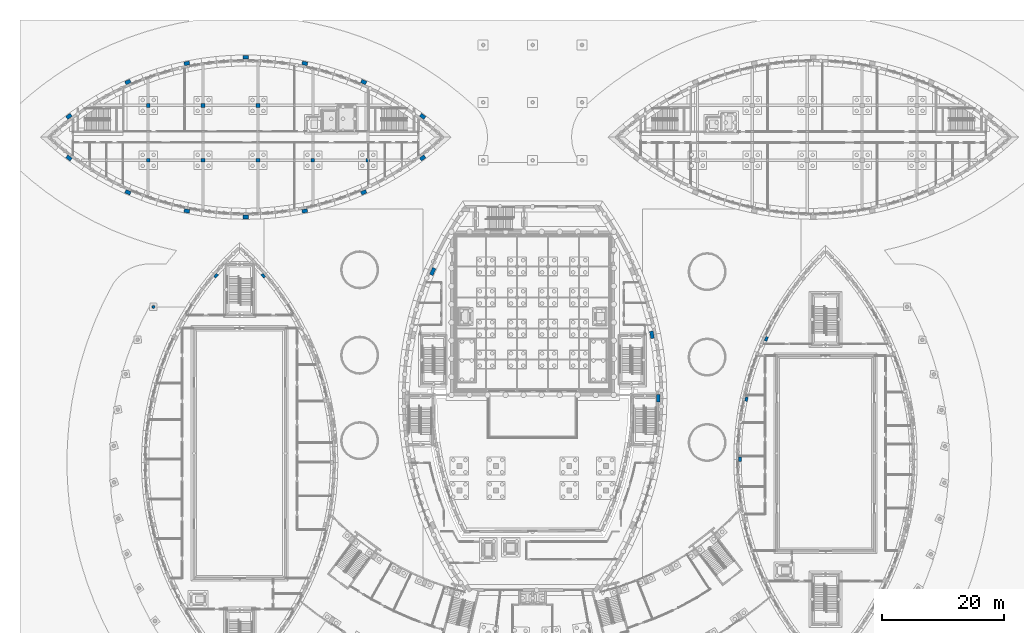
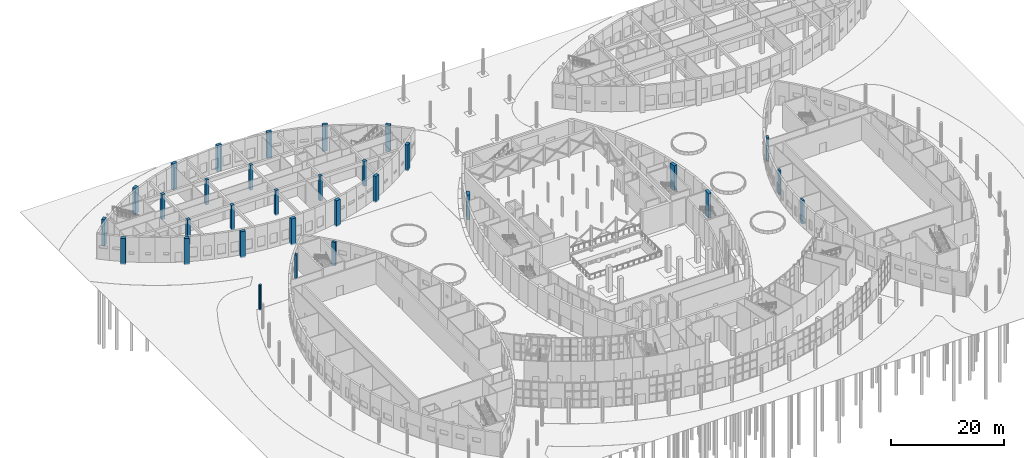
# One storey, part 13 of 82: 31 columns.
"""IFC4 building model written with IfcOpenShell, lengths in metres."""

from ifc_helpers import new_model, si_unit, direction, frame, origin, origin_2d, place, context, subcontext, project, spatial, rectangle, circle, extrude, material, material_profile, profile_set, type_object, element, save


model = new_model("IFC4")

# Units and contexts
model_context = context("Model", 3, precision=1e-05, world=origin(), true_north=direction((0.0, 1.0)))
body_context = subcontext(model_context, "Body", "Model", "MODEL_VIEW")
ifc_project = project(units=[si_unit("LENGTHUNIT", "METRE"), si_unit("AREAUNIT", "SQUARE_METRE"), si_unit("VOLUMEUNIT", "CUBIC_METRE"), si_unit("PLANEANGLEUNIT", "RADIAN"), si_unit("MASSUNIT", "GRAM", prefix="KILO")], contexts=[model_context])

# Site, building, storey
site_placement = place(None, origin())
site = spatial("IfcSite", under=ifc_project, at=site_placement, CompositionType="ELEMENT")
building_placement = place(site_placement, origin())
building = spatial("IfcBuilding", under=site, at=building_placement, Name="Tide Square Theatres", CompositionType="ELEMENT")
storey_placement = place(building_placement, origin())
storey = spatial("IfcBuildingStorey", under=building, at=storey_placement, Name="L00", CompositionType="ELEMENT", Elevation=0.0)

# Columns
ifc_material_1 = material(Name="Concrete C40", Category="concrete")
ifc_material_profile_1 = material_profile(ifc_material_1, rectangle(XDim=0.60009765625, YDim=0.60009765625, at=origin_2d()))
ifc_profile_set_1 = profile_set([ifc_material_profile_1], Name="Concrete C40")
column_type_1 = type_object("IfcColumnType", Name="RC column 600 x 600", PredefinedType="COLUMN", material=ifc_profile_set_1)
for number, where, z_axis, x_axis, name in (
    (1, (21.0, 94.0, -0.25), (0.0, 0.0, 1.0), (1.0, 0.0, 0.0), "Scenery Workshops frame column 1"),
    (2, (21.0, 103.0, -0.25), (0.0, 0.0, 1.0), (1.0, 0.0, 0.0), "Scenery Workshops frame column 2"),
    (3, (30.0, 94.0, -0.25), (0.0, 0.0, 1.0), (1.0, 0.0, 0.0), "Scenery Workshops frame column 3"),
    (4, (30.0, 103.0, -0.25), (0.0, 0.0, 1.0), (1.0, 0.0, 0.0), "Scenery Workshops frame column 4"),
    (5, (39.0, 94.0, -0.25), (0.0, 0.0, 1.0), (1.0, 0.0, 0.0), "Scenery Workshops frame column 5"),
    (6, (39.0, 103.0, -0.25), (0.0, 0.0, 1.0), (1.0, 0.0, 0.0), "Scenery Workshops frame column 6"),
    (7, (48.0, 94.0, -0.25), (0.0, 0.0, 1.0), (1.0, 0.0, 0.0), "Scenery Workshops frame column 7"),
    (8, (57.0, 94.0, -0.25), (0.0, 0.0, 1.0), (1.0, 0.0, 0.0), "Scenery Workshops frame column 8"),
):
    element("IfcColumn", number, at=place(storey_placement, frame(where, z_axis=z_axis, x_axis=x_axis)), inside=storey, type_object=column_type_1, Name=name, PredefinedType="COLUMN", context=body_context, shape_type="SweptSolid", body=[
        extrude(rectangle(XDim=0.60009765625, YDim=0.60009765625, at=origin_2d()), origin(), (0.0, 0.0, 1.0), 5.3701171875),
    ])
ifc_material_2 = material(Name="Concrete C40", Category="concrete")
ifc_material_profile_2 = material_profile(ifc_material_2, rectangle(XDim=1.199951171875, YDim=0.60009765625, at=origin_2d()))
ifc_profile_set_2 = profile_set([ifc_material_profile_2], Name="Concrete C40")
column_type_2 = type_object("IfcColumnType", Name="RC pier 1200 x 600", PredefinedType="PILASTER", material=ifc_profile_set_2)
for number, where, z_axis, x_axis, name in (
    (9, (104.585205078125, 55.012939453125, 0.0), (0.0, 0.0, 1.0), (0.024571762574, 0.999698068661, 0.0), "Rib foot pier"),
    (10, (103.556884765625, 65.41357421875, 0.0), (0.0, 0.0, 1.0), (-0.171172540003, 0.985241067734, 0.0), "Rib foot pier"),
    (11, (67.64013671875, 75.7880859375, 0.0), (0.0, 0.0, 1.0), (-0.416344267901, -0.90920704495, 0.0), "Rib foot pier"),
):
    element("IfcColumn", number, at=place(storey_placement, frame(where, z_axis=z_axis, x_axis=x_axis)), inside=storey, type_object=column_type_2, Name=name, PredefinedType="PILASTER", context=body_context, shape_type="SweptSolid", body=[
        extrude(rectangle(XDim=1.199951171875, YDim=0.60009765625, at=origin_2d()), origin(), (0.0, 0.0, 1.0), 5.39990234375),
    ])
ifc_material_3 = material(Name="Concrete C40", Category="concrete")
ifc_material_profile_3 = material_profile(ifc_material_3, rectangle(XDim=0.699951171875, YDim=0.449951171875, at=origin_2d()))
ifc_profile_set_3 = profile_set([ifc_material_profile_3], Name="Concrete C40")
column_type_3 = type_object("IfcColumnType", Name="RC pier 700 x 450", PredefinedType="PILASTER", material=ifc_profile_set_3)
for number, where, z_axis, x_axis, name in (
    (12, (39.86279296875, 75.09619140625, 0.0), (0.0, 0.0, 1.0), (-0.646183644891, 0.763181955418, 0.0), "Studio Theatre wall pier"),
    (13, (32.13720703125, 75.09619140625, 0.0), (0.0, 0.0, 1.0), (-0.646183644891, -0.763181955418, 0.0), "Studio Theatre wall pier"),
    (14, (117.998046875, 45.0, 0.0), (0.0, 0.0, 1.0), (0.0, -1.0, 0.0), "Black Box Theatre wall pier"),
    (15, (119.037353515625, 54.869384765625, 0.0), (0.0, 0.0, 1.0), (-0.20956121082, -0.977795530221, 0.0), "Black Box Theatre wall pier"),
    (16, (122.305908203125, 64.738525390625, 0.0), (0.0, 0.0, 1.0), (-0.419559661178, -0.907727762444, 0.0), "Black Box Theatre wall pier"),
):
    element("IfcColumn", number, at=place(storey_placement, frame(where, z_axis=z_axis, x_axis=x_axis)), inside=storey, type_object=column_type_3, Name=name, PredefinedType="PILASTER", context=body_context, shape_type="SweptSolid", body=[
        extrude(rectangle(XDim=0.699951171875, YDim=0.449951171875, at=origin_2d()), origin(), (0.0, 0.0, 1.0), 5.10009765625),
    ])
ifc_material_4 = material(Name="Concrete C40", Category="concrete")
ifc_material_profile_4 = material_profile(ifc_material_4, rectangle(XDim=0.89990234375, YDim=0.60009765625, at=origin_2d()))
ifc_profile_set_4 = profile_set([ifc_material_profile_4], Name="Concrete C40")
column_type_4 = type_object("IfcColumnType", Name="RC pier 900 x 600", PredefinedType="PILASTER", material=ifc_profile_set_4)
for number, where, z_axis, x_axis, name in (
    (17, (8.02099609375, 94.390625, -0.25), (0.0, 0.0, 1.0), (0.80192785119, -0.597420891403, 0.0), "Scenery Workshops rib pier 1"),
    (18, (17.678955078125, 88.76416015625, -0.25), (0.0, 0.0, 1.0), (0.915419314521, -0.402501526211, 0.0), "Scenery Workshops rib pier 2"),
    (19, (27.339599609375, 85.707275390625, -0.25), (0.0, 0.0, 1.0), (0.979575047818, -0.201078904144, 0.0), "Scenery Workshops rib pier 3"),
    (20, (37.0, 84.731201171875, -0.25), (0.0, 0.0, 1.0), (1.0, 0.0, 0.0), "Scenery Workshops rib pier 4"),
    (21, (46.660400390625, 85.707275390625, -0.25), (0.0, 0.0, 1.0), (0.979575047818, 0.201078904144, 0.0), "Scenery Workshops rib pier 5"),
    (22, (56.321044921875, 88.76416015625, -0.25), (0.0, 0.0, 1.0), (0.915419314521, 0.402501526211, 0.0), "Scenery Workshops rib pier 6"),
    (23, (65.97900390625, 94.390625, -0.25), (0.0, 0.0, 1.0), (0.80192785119, 0.597420891403, 0.0), "Scenery Workshops rib pier 7"),
    (24, (8.02099609375, 101.20947265625, -0.25), (0.0, 0.0, 1.0), (-0.80192785119, -0.597420891403, 0.0), "Scenery Workshops rib pier 8"),
    (25, (17.678955078125, 106.8359375, -0.25), (0.0, 0.0, 1.0), (-0.915419314521, -0.402501526211, 0.0), "Scenery Workshops rib pier 9"),
    (26, (27.339599609375, 109.892822265625, -0.25), (0.0, 0.0, 1.0), (-0.979575047818, -0.201078904144, 0.0), "Scenery Workshops rib pier 10"),
    (27, (37.0, 110.86865234375, -0.25), (0.0, 0.0, 1.0), (-1.0, 0.0, 0.0), "Scenery Workshops rib pier 11"),
    (28, (46.660400390625, 109.892822265625, -0.25), (0.0, 0.0, 1.0), (-0.979575047818, 0.201078904144, 0.0), "Scenery Workshops rib pier 12"),
    (29, (56.321044921875, 106.8359375, -0.25), (0.0, 0.0, 1.0), (-0.915419314521, 0.402501526211, 0.0), "Scenery Workshops rib pier 13"),
    (30, (65.97900390625, 101.20947265625, -0.25), (0.0, 0.0, 1.0), (-0.80192785119, 0.597420891403, 0.0), "Scenery Workshops rib pier 14"),
):
    element("IfcColumn", number, at=place(storey_placement, frame(where, z_axis=z_axis, x_axis=x_axis)), inside=storey, type_object=column_type_4, Name=name, PredefinedType="PILASTER", context=body_context, shape_type="SweptSolid", body=[
        extrude(rectangle(XDim=0.89990234375, YDim=0.60009765625, at=origin_2d()), origin(), (0.0, 0.0, 1.0), 5.64990234375),
    ])
ifc_material_5 = material(Name="Concrete C40", Category="concrete")
ifc_material_profile_5 = material_profile(ifc_material_5, circle(Radius=0.25, at=origin_2d()))
ifc_profile_set_5 = profile_set([ifc_material_profile_5], Name="Concrete C40")
column_type_5 = type_object("IfcColumnType", Name="RC round column D500", PredefinedType="COLUMN", material=ifc_profile_set_5)
column_placement = place(storey_placement, frame((21.8544921875, 70.0, -0.25), z_axis=(0.0, 0.0, 1.0), x_axis=(1.0, 0.0, 0.0)))
element("IfcColumn", 31, at=column_placement, inside=storey, type_object=column_type_5, Name="Arcade column", PredefinedType="COLUMN", context=body_context, shape_type="SweptSolid", body=[
    extrude(circle(Radius=0.25, at=origin_2d()), origin(), (0.0, 0.0, 1.0), 5.449951171875),
])

save(model, "model.ifc")
